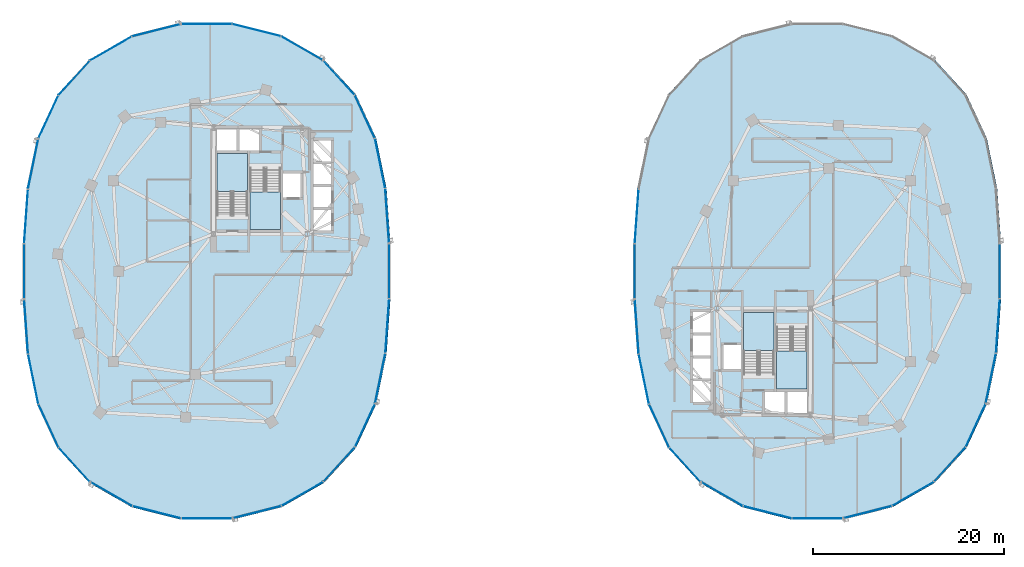
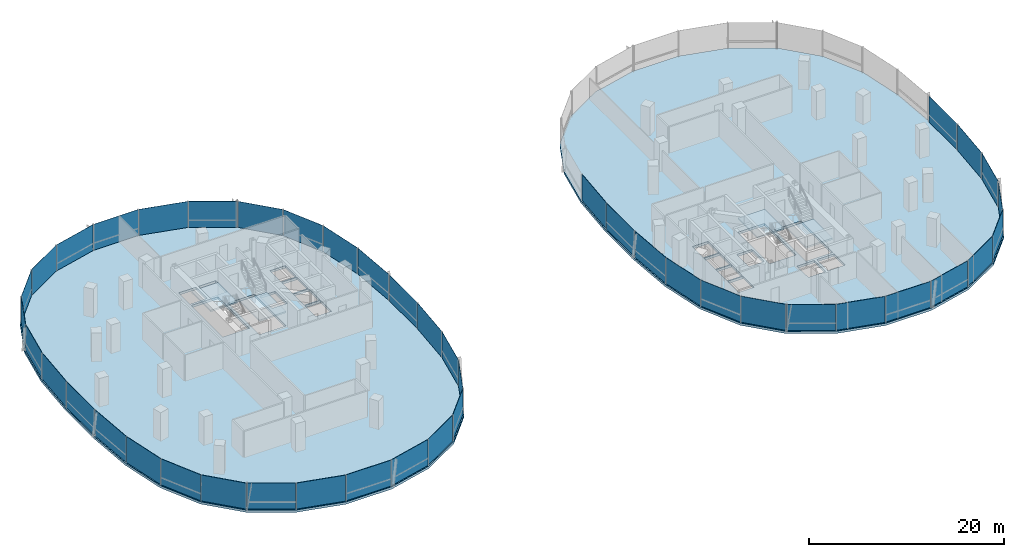
# One storey, part 9 of 20: 44 plates, 6 slabs, 11 elements without a shape of their own.
"""IFC4 building model written with IfcOpenShell, lengths in metres."""

import ifcopenshell
import ifcopenshell.guid

model = None  # the IFC model being written
_history = None  # IfcOwnerHistory: only IFC2X3 demands one
_inside = {}  # id of a spatial element -> (the spatial element, [elements in it])
_under = {}  # id of a project, library or spatial element -> (it, [spatial elements below it])
_declared = {}  # id of a project -> (the project, [libraries it declares])
_typed = {}  # id of a type object -> (the type object, [elements of that type])
_made_of = {}  # id of a material, layer set ... -> (it, [elements and type objects made of it])


def new_model(schema):
    """Start an empty IFC model of exactly this schema.

    Asked for "IFC4X3", IfcOpenShell would pick the latest addendum, in which some entities
    have other attributes; the version numbers below select the first issue.
    IFC2X3 requires an IfcOwnerHistory on every rooted entity: one is made here for all.
    """
    global model, _history
    if schema == "IFC4X3":
        model = ifcopenshell.file(schema_version=(4, 3, 0, 0))
    else:
        model = ifcopenshell.file(schema=schema)
    _inside.clear()
    _under.clear()
    _declared.clear()
    _typed.clear()
    _made_of.clear()
    _history = None
    if model.schema == "IFC2X3":
        org = make("IfcOrganization", Name="unknown")
        user = make(
            "IfcPersonAndOrganization",
            ThePerson=make("IfcPerson", FamilyName="unknown"),
            TheOrganization=org,
        )
        app = make(
            "IfcApplication",
            ApplicationDeveloper=org,
            Version="unknown",
            ApplicationFullName="unknown",
            ApplicationIdentifier="unknown",
        )
        _history = make(
            "IfcOwnerHistory",
            OwningUser=user,
            OwningApplication=app,
            ChangeAction="ADDED",
            CreationDate=0,
        )
    return model


def make(cls, **values):
    """One entity of the class cls with the attributes given. An attribute that is None is left unset."""
    return model.create_entity(
        cls, **{name: value for name, value in values.items() if value is not None}
    )


def rooted(cls, **values):
    """An entity with a GlobalId (a new one), such as an element, a storey or a relation."""
    return make(cls, GlobalId=ifcopenshell.guid.new(), OwnerHistory=_history, **values)


def si_unit(unit_type, name, prefix=None):
    """IfcSIUnit, for example si_unit("LENGTHUNIT", "METRE", prefix="MILLI")."""
    return make("IfcSIUnit", UnitType=unit_type, Prefix=prefix, Name=name)


def assignment(units):
    """IfcUnitAssignment: the units of a project."""
    return None if units is None else make("IfcUnitAssignment", Units=units)


def point(xyz):
    """IfcCartesianPoint."""
    return None if xyz is None else make("IfcCartesianPoint", Coordinates=xyz)


def direction(xyz):
    """IfcDirection."""
    return None if xyz is None else make("IfcDirection", DirectionRatios=xyz)


def frame(location, z_axis=None, x_axis=None):
    """IfcAxis2Placement3D, a coordinate frame: its origin and axes. An axis left out is left unset."""
    return make(
        "IfcAxis2Placement3D",
        Location=point(location),
        Axis=direction(z_axis),
        RefDirection=direction(x_axis),
    )


def frame_2d(location, x_axis=None):
    """IfcAxis2Placement2D, a coordinate frame in the plane: its origin and x axis."""
    return make(
        "IfcAxis2Placement2D", Location=point(location), RefDirection=direction(x_axis)
    )


def origin():
    """The frame at (0, 0, 0) with its axes left unset."""
    return frame((0.0, 0.0, 0.0))


def origin_2d():
    """The frame at (0, 0) in the plane with its x axis left unset."""
    return frame_2d((0.0, 0.0))


def place(relative_to, where):
    """IfcLocalPlacement: puts the frame where relative to a parent placement (None: the world)."""
    return make(
        "IfcLocalPlacement", PlacementRelTo=relative_to, RelativePlacement=where
    )


def context(
    kind, dimensions, precision=None, world=None, true_north=None, identifier=None
):
    """IfcGeometricRepresentationContext, for example the 3D "Model" context."""
    return make(
        "IfcGeometricRepresentationContext",
        ContextIdentifier=identifier,
        ContextType=kind,
        CoordinateSpaceDimension=dimensions,
        Precision=precision,
        WorldCoordinateSystem=world,
        TrueNorth=true_north,
    )


def subcontext(parent, identifier, kind, view, scale=None):
    """IfcGeometricRepresentationSubContext, for example "Body" below "Model"."""
    return make(
        "IfcGeometricRepresentationSubContext",
        ContextIdentifier=identifier,
        ContextType=kind,
        ParentContext=parent,
        TargetScale=scale,
        TargetView=view,
    )


def project(units=None, contexts=None):
    """IfcProject with its units and contexts."""
    return rooted(
        "IfcProject",
        Name="project",
        RepresentationContexts=contexts,
        UnitsInContext=assignment(units),
    )


def spatial(cls, under=None, at=None, **own):
    """A site, building, storey or space (cls), placed at a placement, below another one or the project."""
    s = rooted(cls, ObjectPlacement=at, **own)
    if under is not None:
        _under.setdefault(under.id(), (under, []))[1].append(s)
    return s


def polyline(points):
    """IfcPolyline through the points."""
    return make("IfcPolyline", Points=[point(p) for p in points])


def profile(cls, at=None, kind="AREA", **sizes):
    """A parametric profile (cls). Its sizes go by their IFC names, for example OverallWidth=200.0."""
    return make(cls, ProfileType=kind, Position=at, **sizes)


def rectangle(**sizes):
    """IfcRectangleProfileDef."""
    return profile("IfcRectangleProfileDef", **sizes)


def outline(outer, holes=None, kind="AREA"):
    """IfcArbitraryClosedProfileDef: a profile drawn as a closed curve; with holes, ...WithVoids."""
    if holes is None:
        return make("IfcArbitraryClosedProfileDef", ProfileType=kind, OuterCurve=outer)
    return make(
        "IfcArbitraryProfileDefWithVoids",
        ProfileType=kind,
        OuterCurve=outer,
        InnerCurves=holes,
    )


def extrude(swept, where, along, depth):
    """IfcExtrudedAreaSolid: the profile swept, set in the frame where, extruded along a direction by depth."""
    return make(
        "IfcExtrudedAreaSolid",
        SweptArea=swept,
        Position=where,
        ExtrudedDirection=direction(along),
        Depth=depth,
    )


def shape(context_of_items, identifier, shape_type, items):
    """IfcShapeRepresentation: the items that make up one representation, for example the "Body"."""
    return make(
        "IfcShapeRepresentation",
        ContextOfItems=context_of_items,
        RepresentationIdentifier=identifier,
        RepresentationType=shape_type,
        Items=items,
    )


def material(Name=None, Category=None):
    """IfcMaterial."""
    return make("IfcMaterial", Name=Name, Category=Category)


def layer(
    of_material, thickness, ventilated=None, Name=None, Category=None, Priority=None
):
    """IfcMaterialLayer: one layer of a wall or slab, of a material (None: an air gap)."""
    return make(
        "IfcMaterialLayer",
        Material=of_material,
        LayerThickness=thickness,
        IsVentilated=ventilated,
        Name=Name,
        Category=Category,
        Priority=Priority,
    )


def layer_set(layers, Name=None):
    """IfcMaterialLayerSet."""
    return make("IfcMaterialLayerSet", MaterialLayers=layers, LayerSetName=Name)


def made_of(thing, what):
    """Note that an element or type object is made of a material, layer set ...; save() writes the relation."""
    if what is not None:
        _made_of.setdefault(what.id(), (what, []))[1].append(thing)
    return thing


def type_object(cls, material=None, **own):
    """A type object (cls), such as IfcWallType, which elements share."""
    return made_of(rooted(cls, **own), material)


def element(
    cls,
    number,
    at=None,
    inside=None,
    cuts=None,
    type_object=None,
    material=None,
    context=None,
    identifier="Body",
    shape_type=None,
    held_by="IfcProductDefinitionShape",
    body=None,
    shapes=None,
    **own,
):
    """One element of the class cls, such as IfcWall. Its Tag is "e" and its number.

    at: its placement. inside: the storey or other place that contains it. cuts: it is an
    opening in that element (IfcRelVoidsElement). A single representation is given by context,
    identifier, shape_type and body (its items); several are given by shapes. held_by: the class
    of the entity that holds the representations. save() writes the other relations.
    """
    e = rooted(cls, Tag="e%d" % number, ObjectPlacement=at, **own)
    if body is not None:
        shapes = [shape(context, identifier, shape_type, body)]
    if shapes is not None:
        e.Representation = make(held_by, Representations=shapes)
    if inside is not None:
        _inside.setdefault(inside.id(), (inside, []))[1].append(e)
    if cuts is not None:
        rooted(
            "IfcRelVoidsElement", RelatingBuildingElement=cuts, RelatedOpeningElement=e
        )
    if type_object is not None:
        _typed.setdefault(type_object.id(), (type_object, []))[1].append(e)
    return made_of(e, material)


def aggregate(whole, parts):
    """IfcRelAggregates: a whole, such as a stair, and the parts it consists of."""
    return rooted("IfcRelAggregates", RelatingObject=whole, RelatedObjects=parts)


def save(model, path):
    """Write the relations noted so far, then the file.

    IfcRelAggregates (storeys below a building ...), IfcRelContainedInSpatialStructure (elements
    in a storey), IfcRelDefinesByType, IfcRelAssociatesMaterial and IfcRelDeclares: one each for
    every whole, place, type object, material and project.
    """
    for whole, parts in _under.values():
        aggregate(whole, parts)
    for where, things in _inside.values():
        rooted(
            "IfcRelContainedInSpatialStructure",
            RelatedElements=things,
            RelatingStructure=where,
        )
    for kind, things in _typed.values():
        rooted("IfcRelDefinesByType", RelatedObjects=things, RelatingType=kind)
    for what, things in _made_of.values():
        rooted("IfcRelAssociatesMaterial", RelatedObjects=things, RelatingMaterial=what)
    for by, libraries in _declared.values():
        rooted("IfcRelDeclares", RelatingContext=by, RelatedDefinitions=libraries)
    model.write(path)


model = new_model("IFC4")

# Units and contexts
model_context = context("Model", 3, precision=1e-05, world=origin(), true_north=direction((0.0, 1.0)))
body_context = subcontext(model_context, "Body", "Model", "MODEL_VIEW")
ifc_project = project(units=[si_unit("LENGTHUNIT", "METRE"), si_unit("AREAUNIT", "SQUARE_METRE"), si_unit("VOLUMEUNIT", "CUBIC_METRE"), si_unit("PLANEANGLEUNIT", "RADIAN"), si_unit("MASSUNIT", "GRAM", prefix="KILO"), si_unit("THERMODYNAMICTEMPERATUREUNIT", "KELVIN"), si_unit("POWERUNIT", "WATT")], contexts=[model_context])

# Site, building, storey
site_placement = place(None, origin())
site = spatial("IfcSite", under=ifc_project, at=site_placement, CompositionType="ELEMENT")
building_placement = place(site_placement, origin())
building = spatial("IfcBuilding", under=site, at=building_placement, Name="Cundina Bronze Exchange", CompositionType="ELEMENT")
storey_placement = place(building_placement, frame((0.0, 0.0, 125.0)))
storey = spatial("IfcBuildingStorey", under=building, at=storey_placement, Name="L32", CompositionType="ELEMENT", Elevation=125.0)

# Curtain wall, plates
ifc_material_1 = material(Name="Anodised Bronze Aluminium 6063-T6", Category="aluminium")
curtain_wall_type = type_object("IfcCurtainWallType", Name="CWS-TRD-MID", PredefinedType="NOTDEFINED", material=ifc_material_1)
curtain_wall_1_placement = place(storey_placement, origin())
curtain_wall_1 = element("IfcCurtainWall", 1, at=curtain_wall_1_placement, inside=storey, type_object=curtain_wall_type, Name="L32 CW-03 Curtain Wall Run CWR-L32-W1", PredefinedType="NOTDEFINED")
ifc_material_2 = material(Name="Heat-Strengthened Solar-Control Bronze Safety Glass 28mm", Category="glass")
ifc_layer_1 = layer(ifc_material_2, 0.028076171875, Name="Heat-Strengthened Solar-Control Bronze Safety Glass 28mm", Category="glass")
ifc_layer_set_1 = layer_set([ifc_layer_1], Name="Heat-Strengthened Solar-Control Bronze Safety Glass 28mm")
plate_type_1 = type_object("IfcPlateType", Name="PLT-GLZ-VIS28", PredefinedType="CURTAIN_PANEL", material=ifc_layer_set_1)
plate_1_placement = place(storey_placement, frame((-13.0732421875, 5.783935546875, 0.02001953125), z_axis=(0.0, 0.0, 1.0), x_axis=(-0.070278787473, 0.997527389113, 0.0)))
plate_1 = element("IfcPlate", 2, at=plate_1_placement, type_object=plate_type_1, Name="CW-03 Glazed Panel 1", PredefinedType="CURTAIN_PANEL", context=body_context, shape_type="SweptSolid", body=[
    extrude(rectangle(XDim=5.644287109375, YDim=0.028076171875, at=origin_2d()), origin(), (0.0, 0.0, 1.0), 3.260009765625),
])
plate_2_placement = place(storey_placement, frame((-13.81591796875, 11.269775390625, 0.02001953125), z_axis=(0.0, 0.0, 1.0), x_axis=(-0.201419845156, 0.979505000486, 0.0)))
plate_2 = element("IfcPlate", 3, at=plate_2_placement, type_object=plate_type_1, Name="CW-03 Glazed Panel 2", PredefinedType="CURTAIN_PANEL", context=body_context, shape_type="SweptSolid", body=[
    extrude(rectangle(XDim=5.306640625, YDim=0.028076171875, at=origin_2d()), origin(), (0.0, 0.0, 1.0), 3.260009765625),
])
plate_3_placement = place(storey_placement, frame((-18.1259765625, 20.267333984375, 0.02001953125), z_axis=(0.0, 0.0, 1.0), x_axis=(-0.674276610219, 0.73847887777, 0.0)))
plate_3 = element("IfcPlate", 4, at=plate_3_placement, type_object=plate_type_1, Name="CW-03 Glazed Panel 4", PredefinedType="CURTAIN_PANEL", context=body_context, shape_type="SweptSolid", body=[
    extrude(rectangle(XDim=4.86328125, YDim=0.028076171875, at=origin_2d()), origin(), (0.0, 0.0, 1.0), 3.260009765625),
])
plate_4_placement = place(storey_placement, frame((-21.980712890625, 23.34423828125, 0.02001953125), z_axis=(0.0, 0.0, 1.0), x_axis=(-0.867105478933, 0.498124571171, 0.0)))
plate_4 = element("IfcPlate", 5, at=plate_4_placement, type_object=plate_type_1, Name="CW-03 Glazed Panel 5", PredefinedType="CURTAIN_PANEL", context=body_context, shape_type="SweptSolid", body=[
    extrude(rectangle(XDim=5.021240234375, YDim=0.028076171875, at=origin_2d()), origin(), (0.0, 0.0, 1.0), 3.260009765625),
])
plate_5_placement = place(storey_placement, frame((-26.744384765625, 25.256591796875, 0.02001953125), z_axis=(0.0, 0.0, 1.0), x_axis=(-0.969488149345, 0.245138182011, 0.0)))
plate_5 = element("IfcPlate", 6, at=plate_5_placement, type_object=plate_type_1, Name="CW-03 Glazed Panel 6", PredefinedType="CURTAIN_PANEL", context=body_context, shape_type="SweptSolid", body=[
    extrude(rectangle(XDim=5.2333984375, YDim=0.028076171875, at=origin_2d()), origin(), (0.0, 0.0, 1.0), 3.260009765625),
])
plate_6_placement = place(storey_placement, frame((-32.0, 25.905029296875, 0.02001953125), z_axis=(0.0, 0.0, 1.0), x_axis=(-1.0, 0.0, 0.0)))
plate_6 = element("IfcPlate", 7, at=plate_6_placement, type_object=plate_type_1, Name="CW-03 Glazed Panel 7", PredefinedType="CURTAIN_PANEL", context=body_context, shape_type="SweptSolid", body=[
    extrude(rectangle(XDim=5.323974609375, YDim=0.028076171875, at=origin_2d()), origin(), (0.0, 0.0, 1.0), 3.260009765625),
])

curtain_wall_2_placement = place(storey_placement, origin())
curtain_wall_2 = element("IfcCurtainWall", 8, at=curtain_wall_2_placement, inside=storey, type_object=curtain_wall_type, Name="L32 CW-03 Curtain Wall Run CWR-L32-W2", PredefinedType="NOTDEFINED")
plate_7_placement = place(storey_placement, frame((-37.255615234375, 25.256591796875, 0.02001953125), z_axis=(0.0, 0.0, 1.0), x_axis=(-0.969488149345, -0.245138182011, 0.0)))
plate_7 = element("IfcPlate", 9, at=plate_7_placement, type_object=plate_type_1, Name="CW-03 Glazed Panel 1", PredefinedType="CURTAIN_PANEL", context=body_context, shape_type="SweptSolid", body=[
    extrude(rectangle(XDim=5.2333984375, YDim=0.028076171875, at=origin_2d()), origin(), (0.0, 0.0, 1.0), 3.260009765625),
])
plate_8_placement = place(storey_placement, frame((-45.8740234375, 20.267333984375, 0.02001953125), z_axis=(0.0, 0.0, 1.0), x_axis=(-0.674276610219, -0.73847887777, 0.0)))
plate_8 = element("IfcPlate", 10, at=plate_8_placement, type_object=plate_type_1, Name="CW-03 Glazed Panel 3", PredefinedType="CURTAIN_PANEL", context=body_context, shape_type="SweptSolid", body=[
    extrude(rectangle(XDim=4.86328125, YDim=0.028076171875, at=origin_2d()), origin(), (0.0, 0.0, 1.0), 3.260009765625),
])
plate_9_placement = place(storey_placement, frame((-48.586181640625, 16.177734375, 0.02001953125), z_axis=(0.0, 0.0, 1.0), x_axis=(-0.42084583328, -0.907132175932, 0.0)))
plate_9 = element("IfcPlate", 11, at=plate_9_placement, type_object=plate_type_1, Name="CW-03 Glazed Panel 4", PredefinedType="CURTAIN_PANEL", context=body_context, shape_type="SweptSolid", body=[
    extrude(rectangle(XDim=4.966552734375, YDim=0.028076171875, at=origin_2d()), origin(), (0.0, 0.0, 1.0), 3.260009765625),
])
plate_10_placement = place(storey_placement, frame((-50.18408203125, 11.269775390625, 0.02001953125), z_axis=(0.0, 0.0, 1.0), x_axis=(-0.201419845156, -0.979505000486, 0.0)))
plate_10 = element("IfcPlate", 12, at=plate_10_placement, type_object=plate_type_1, Name="CW-03 Glazed Panel 5", PredefinedType="CURTAIN_PANEL", context=body_context, shape_type="SweptSolid", body=[
    extrude(rectangle(XDim=5.306640625, YDim=0.028076171875, at=origin_2d()), origin(), (0.0, 0.0, 1.0), 3.260009765625),
])
plate_11_placement = place(storey_placement, frame((-50.9267578125, 5.783935546875, 0.02001953125), z_axis=(0.0, 0.0, 1.0), x_axis=(-0.070278787473, -0.997527389113, 0.0)))
plate_11 = element("IfcPlate", 13, at=plate_11_placement, type_object=plate_type_1, Name="CW-03 Glazed Panel 6", PredefinedType="CURTAIN_PANEL", context=body_context, shape_type="SweptSolid", body=[
    extrude(rectangle(XDim=5.644287109375, YDim=0.028076171875, at=origin_2d()), origin(), (0.0, 0.0, 1.0), 3.260009765625),
])

curtain_wall_3_placement = place(storey_placement, origin())
curtain_wall_3 = element("IfcCurtainWall", 14, at=curtain_wall_3_placement, inside=storey, type_object=curtain_wall_type, Name="L32 CW-03 Curtain Wall Run CWR-L32-W3", PredefinedType="NOTDEFINED")
plate_12_placement = place(storey_placement, frame((-50.18408203125, -11.269775390625, 0.02001953125), z_axis=(0.0, 0.0, 1.0), x_axis=(0.201419845156, -0.979505000486, 0.0)))
plate_12 = element("IfcPlate", 15, at=plate_12_placement, type_object=plate_type_1, Name="CW-03 Glazed Panel 2", PredefinedType="CURTAIN_PANEL", context=body_context, shape_type="SweptSolid", body=[
    extrude(rectangle(XDim=5.306640625, YDim=0.028076171875, at=origin_2d()), origin(), (0.0, 0.0, 1.0), 3.260009765625),
])
plate_13_placement = place(storey_placement, frame((-48.586181640625, -16.177734375, 0.02001953125), z_axis=(0.0, 0.0, 1.0), x_axis=(0.42084583328, -0.907132175932, 0.0)))
plate_13 = element("IfcPlate", 16, at=plate_13_placement, type_object=plate_type_1, Name="CW-03 Glazed Panel 3", PredefinedType="CURTAIN_PANEL", context=body_context, shape_type="SweptSolid", body=[
    extrude(rectangle(XDim=4.966552734375, YDim=0.028076171875, at=origin_2d()), origin(), (0.0, 0.0, 1.0), 3.260009765625),
])
plate_14_placement = place(storey_placement, frame((-45.8740234375, -20.267333984375, 0.02001953125), z_axis=(0.0, 0.0, 1.0), x_axis=(0.674276610219, -0.73847887777, 0.0)))
plate_14 = element("IfcPlate", 17, at=plate_14_placement, type_object=plate_type_1, Name="CW-03 Glazed Panel 4", PredefinedType="CURTAIN_PANEL", context=body_context, shape_type="SweptSolid", body=[
    extrude(rectangle(XDim=4.86328125, YDim=0.028076171875, at=origin_2d()), origin(), (0.0, 0.0, 1.0), 3.260009765625),
])
plate_15_placement = place(storey_placement, frame((-42.019287109375, -23.34423828125, 0.02001953125), z_axis=(0.0, 0.0, 1.0), x_axis=(0.867105478933, -0.498124571171, 0.0)))
plate_15 = element("IfcPlate", 18, at=plate_15_placement, type_object=plate_type_1, Name="CW-03 Glazed Panel 5", PredefinedType="CURTAIN_PANEL", context=body_context, shape_type="SweptSolid", body=[
    extrude(rectangle(XDim=5.021240234375, YDim=0.028076171875, at=origin_2d()), origin(), (0.0, 0.0, 1.0), 3.260009765625),
])
plate_16_placement = place(storey_placement, frame((-32.0, -25.905029296875, 0.02001953125), z_axis=(0.0, 0.0, 1.0), x_axis=(1.0, 0.0, 0.0)))
plate_16 = element("IfcPlate", 19, at=plate_16_placement, type_object=plate_type_1, Name="CW-03 Glazed Panel 7", PredefinedType="CURTAIN_PANEL", context=body_context, shape_type="SweptSolid", body=[
    extrude(rectangle(XDim=5.323974609375, YDim=0.028076171875, at=origin_2d()), origin(), (0.0, 0.0, 1.0), 3.260009765625),
])

curtain_wall_4_placement = place(storey_placement, origin())
curtain_wall_4 = element("IfcCurtainWall", 20, at=curtain_wall_4_placement, inside=storey, type_object=curtain_wall_type, Name="L32 CW-03 Curtain Wall Run CWR-L32-W4", PredefinedType="NOTDEFINED")
plate_17_placement = place(storey_placement, frame((-26.744384765625, -25.256591796875, 0.02001953125), z_axis=(0.0, 0.0, 1.0), x_axis=(0.969488149345, 0.245138182011, 0.0)))
plate_17 = element("IfcPlate", 21, at=plate_17_placement, type_object=plate_type_1, Name="CW-03 Glazed Panel 1", PredefinedType="CURTAIN_PANEL", context=body_context, shape_type="SweptSolid", body=[
    extrude(rectangle(XDim=5.2333984375, YDim=0.028076171875, at=origin_2d()), origin(), (0.0, 0.0, 1.0), 3.260009765625),
])
plate_18_placement = place(storey_placement, frame((-21.980712890625, -23.34423828125, 0.02001953125), z_axis=(0.0, 0.0, 1.0), x_axis=(0.867105478933, 0.498124571171, 0.0)))
plate_18 = element("IfcPlate", 22, at=plate_18_placement, type_object=plate_type_1, Name="CW-03 Glazed Panel 2", PredefinedType="CURTAIN_PANEL", context=body_context, shape_type="SweptSolid", body=[
    extrude(rectangle(XDim=5.021240234375, YDim=0.028076171875, at=origin_2d()), origin(), (0.0, 0.0, 1.0), 3.260009765625),
])
plate_19_placement = place(storey_placement, frame((-18.1259765625, -20.267333984375, 0.02001953125), z_axis=(0.0, 0.0, 1.0), x_axis=(0.674276610219, 0.73847887777, 0.0)))
plate_19 = element("IfcPlate", 23, at=plate_19_placement, type_object=plate_type_1, Name="CW-03 Glazed Panel 3", PredefinedType="CURTAIN_PANEL", context=body_context, shape_type="SweptSolid", body=[
    extrude(rectangle(XDim=4.86328125, YDim=0.028076171875, at=origin_2d()), origin(), (0.0, 0.0, 1.0), 3.260009765625),
])
plate_20_placement = place(storey_placement, frame((-15.413818359375, -16.177734375, 0.02001953125), z_axis=(0.0, 0.0, 1.0), x_axis=(0.42084583328, 0.907132175932, 0.0)))
plate_20 = element("IfcPlate", 24, at=plate_20_placement, type_object=plate_type_1, Name="CW-03 Glazed Panel 4", PredefinedType="CURTAIN_PANEL", context=body_context, shape_type="SweptSolid", body=[
    extrude(rectangle(XDim=4.966552734375, YDim=0.028076171875, at=origin_2d()), origin(), (0.0, 0.0, 1.0), 3.260009765625),
])
plate_21_placement = place(storey_placement, frame((-13.0732421875, -5.783935546875, 0.02001953125), z_axis=(0.0, 0.0, 1.0), x_axis=(0.070278787473, 0.997527389113, 0.0)))
plate_21 = element("IfcPlate", 25, at=plate_21_placement, type_object=plate_type_1, Name="CW-03 Glazed Panel 6", PredefinedType="CURTAIN_PANEL", context=body_context, shape_type="SweptSolid", body=[
    extrude(rectangle(XDim=5.644287109375, YDim=0.028076171875, at=origin_2d()), origin(), (0.0, 0.0, 1.0), 3.260009765625),
])
plate_22_placement = place(storey_placement, frame((-12.8720703125, 0.0, 0.02001953125), z_axis=(0.0, 0.0, 1.0), x_axis=(0.0, 1.0, 0.0)))
plate_22 = element("IfcPlate", 26, at=plate_22_placement, type_object=plate_type_1, Name="CW-03 Glazed Panel 7", PredefinedType="CURTAIN_PANEL", context=body_context, shape_type="SweptSolid", body=[
    extrude(rectangle(XDim=5.77587890625, YDim=0.028076171875, at=origin_2d()), origin(), (0.0, 0.0, 1.0), 3.260009765625),
])

# Curtain wall, plate
curtain_wall_5_placement = place(storey_placement, origin())
curtain_wall_5 = element("IfcCurtainWall", 27, at=curtain_wall_5_placement, inside=storey, type_object=curtain_wall_type, Name="L32 CW-03 Curtain Wall Run CWR-L32-E2", PredefinedType="NOTDEFINED")
plate_23_placement = place(storey_placement, frame((13.0732421875, 5.783935546875, 0.02001953125), z_axis=(0.0, 0.0, 1.0), x_axis=(-0.070278787473, -0.997527389113, 0.0)))
plate_23 = element("IfcPlate", 28, at=plate_23_placement, type_object=plate_type_1, Name="CW-03 Glazed Panel 6", PredefinedType="CURTAIN_PANEL", context=body_context, shape_type="SweptSolid", body=[
    extrude(rectangle(XDim=5.644287109375, YDim=0.028076171875, at=origin_2d()), origin(), (0.0, 0.0, 1.0), 3.260009765625),
])

# Curtain wall, plates
curtain_wall_6_placement = place(storey_placement, origin())
curtain_wall_6 = element("IfcCurtainWall", 29, at=curtain_wall_6_placement, inside=storey, type_object=curtain_wall_type, Name="L32 CW-03 Curtain Wall Run CWR-L32-E3", PredefinedType="NOTDEFINED")
plate_24_placement = place(storey_placement, frame((13.81591796875, -11.269775390625, 0.02001953125), z_axis=(0.0, 0.0, 1.0), x_axis=(0.201419845156, -0.979505000486, 0.0)))
plate_24 = element("IfcPlate", 30, at=plate_24_placement, type_object=plate_type_1, Name="CW-03 Glazed Panel 2", PredefinedType="CURTAIN_PANEL", context=body_context, shape_type="SweptSolid", body=[
    extrude(rectangle(XDim=5.306640625, YDim=0.028076171875, at=origin_2d()), origin(), (0.0, 0.0, 1.0), 3.260009765625),
])
plate_25_placement = place(storey_placement, frame((15.413818359375, -16.177734375, 0.02001953125), z_axis=(0.0, 0.0, 1.0), x_axis=(0.42084583328, -0.907132175932, 0.0)))
plate_25 = element("IfcPlate", 31, at=plate_25_placement, type_object=plate_type_1, Name="CW-03 Glazed Panel 3", PredefinedType="CURTAIN_PANEL", context=body_context, shape_type="SweptSolid", body=[
    extrude(rectangle(XDim=4.966552734375, YDim=0.028076171875, at=origin_2d()), origin(), (0.0, 0.0, 1.0), 3.260009765625),
])
plate_26_placement = place(storey_placement, frame((18.1259765625, -20.267333984375, 0.02001953125), z_axis=(0.0, 0.0, 1.0), x_axis=(0.674276610219, -0.73847887777, 0.0)))
plate_26 = element("IfcPlate", 32, at=plate_26_placement, type_object=plate_type_1, Name="CW-03 Glazed Panel 4", PredefinedType="CURTAIN_PANEL", context=body_context, shape_type="SweptSolid", body=[
    extrude(rectangle(XDim=4.86328125, YDim=0.028076171875, at=origin_2d()), origin(), (0.0, 0.0, 1.0), 3.260009765625),
])
plate_27_placement = place(storey_placement, frame((21.980712890625, -23.34423828125, 0.02001953125), z_axis=(0.0, 0.0, 1.0), x_axis=(0.867105478933, -0.498124571171, 0.0)))
plate_27 = element("IfcPlate", 33, at=plate_27_placement, type_object=plate_type_1, Name="CW-03 Glazed Panel 5", PredefinedType="CURTAIN_PANEL", context=body_context, shape_type="SweptSolid", body=[
    extrude(rectangle(XDim=5.021240234375, YDim=0.028076171875, at=origin_2d()), origin(), (0.0, 0.0, 1.0), 3.260009765625),
])
plate_28_placement = place(storey_placement, frame((32.0, -25.905029296875, 0.02001953125), z_axis=(0.0, 0.0, 1.0), x_axis=(1.0, 0.0, 0.0)))
plate_28 = element("IfcPlate", 34, at=plate_28_placement, type_object=plate_type_1, Name="CW-03 Glazed Panel 7", PredefinedType="CURTAIN_PANEL", context=body_context, shape_type="SweptSolid", body=[
    extrude(rectangle(XDim=5.323974609375, YDim=0.028076171875, at=origin_2d()), origin(), (0.0, 0.0, 1.0), 3.260009765625),
])

curtain_wall_7_placement = place(storey_placement, origin())
curtain_wall_7 = element("IfcCurtainWall", 35, at=curtain_wall_7_placement, inside=storey, type_object=curtain_wall_type, Name="L32 CW-03 Curtain Wall Run CWR-L32-E4", PredefinedType="NOTDEFINED")
plate_29_placement = place(storey_placement, frame((37.255615234375, -25.256591796875, 0.02001953125), z_axis=(0.0, 0.0, 1.0), x_axis=(0.969488149345, 0.245138182011, 0.0)))
plate_29 = element("IfcPlate", 36, at=plate_29_placement, type_object=plate_type_1, Name="CW-03 Glazed Panel 1", PredefinedType="CURTAIN_PANEL", context=body_context, shape_type="SweptSolid", body=[
    extrude(rectangle(XDim=5.2333984375, YDim=0.028076171875, at=origin_2d()), origin(), (0.0, 0.0, 1.0), 3.260009765625),
])
plate_30_placement = place(storey_placement, frame((42.019287109375, -23.34423828125, 0.02001953125), z_axis=(0.0, 0.0, 1.0), x_axis=(0.867105478933, 0.498124571171, 0.0)))
plate_30 = element("IfcPlate", 37, at=plate_30_placement, type_object=plate_type_1, Name="CW-03 Glazed Panel 2", PredefinedType="CURTAIN_PANEL", context=body_context, shape_type="SweptSolid", body=[
    extrude(rectangle(XDim=5.021240234375, YDim=0.028076171875, at=origin_2d()), origin(), (0.0, 0.0, 1.0), 3.260009765625),
])
plate_31_placement = place(storey_placement, frame((45.8740234375, -20.267333984375, 0.02001953125), z_axis=(0.0, 0.0, 1.0), x_axis=(0.674276610219, 0.73847887777, 0.0)))
plate_31 = element("IfcPlate", 38, at=plate_31_placement, type_object=plate_type_1, Name="CW-03 Glazed Panel 3", PredefinedType="CURTAIN_PANEL", context=body_context, shape_type="SweptSolid", body=[
    extrude(rectangle(XDim=4.86328125, YDim=0.028076171875, at=origin_2d()), origin(), (0.0, 0.0, 1.0), 3.260009765625),
])
plate_32_placement = place(storey_placement, frame((48.586181640625, -16.177734375, 0.02001953125), z_axis=(0.0, 0.0, 1.0), x_axis=(0.42084583328, 0.907132175932, 0.0)))
plate_32 = element("IfcPlate", 39, at=plate_32_placement, type_object=plate_type_1, Name="CW-03 Glazed Panel 4", PredefinedType="CURTAIN_PANEL", context=body_context, shape_type="SweptSolid", body=[
    extrude(rectangle(XDim=4.966552734375, YDim=0.028076171875, at=origin_2d()), origin(), (0.0, 0.0, 1.0), 3.260009765625),
])
plate_33_placement = place(storey_placement, frame((50.9267578125, -5.783935546875, 0.02001953125), z_axis=(0.0, 0.0, 1.0), x_axis=(0.070278787473, 0.997527389113, 0.0)))
plate_33 = element("IfcPlate", 40, at=plate_33_placement, type_object=plate_type_1, Name="CW-03 Glazed Panel 6", PredefinedType="CURTAIN_PANEL", context=body_context, shape_type="SweptSolid", body=[
    extrude(rectangle(XDim=5.644287109375, YDim=0.028076171875, at=origin_2d()), origin(), (0.0, 0.0, 1.0), 3.260009765625),
])
plate_34_placement = place(storey_placement, frame((51.1279296875, 0.0, 0.02001953125), z_axis=(0.0, 0.0, 1.0), x_axis=(0.0, 1.0, 0.0)))
plate_34 = element("IfcPlate", 41, at=plate_34_placement, type_object=plate_type_1, Name="CW-03 Glazed Panel 7", PredefinedType="CURTAIN_PANEL", context=body_context, shape_type="SweptSolid", body=[
    extrude(rectangle(XDim=5.77587890625, YDim=0.028076171875, at=origin_2d()), origin(), (0.0, 0.0, 1.0), 3.260009765625),
])

# Plate
ifc_material_3 = material(Name="Dark Bronze Spandrel Glass Panel 32mm", Category="glass")
ifc_layer_2 = layer(ifc_material_3, 0.031982421875, Name="Dark Bronze Spandrel Glass Panel 32mm", Category="glass")
ifc_layer_set_2 = layer_set([ifc_layer_2], Name="Dark Bronze Spandrel Glass Panel 32mm")
plate_type_2 = type_object("IfcPlateType", Name="PLT-SPN-BRZ32", PredefinedType="CURTAIN_PANEL", material=ifc_layer_set_2)
plate_35_placement = place(storey_placement, frame((-15.413818359375, 16.177734375, 0.02001953125), z_axis=(0.0, 0.0, 1.0), x_axis=(-0.42084583328, 0.907132175932, 0.0)))
plate_35 = element("IfcPlate", 42, at=plate_35_placement, type_object=plate_type_2, Name="CW-03 Glazed Panel 3", PredefinedType="CURTAIN_PANEL", context=body_context, shape_type="SweptSolid", body=[
    extrude(rectangle(XDim=4.966552734375, YDim=0.031982421875, at=origin_2d()), origin(), (0.0, 0.0, 1.0), 3.260009765625),
])

aggregate(curtain_wall_1, [plate_1, plate_2, plate_35, plate_3, plate_4, plate_5, plate_6])

plate_36_placement = place(storey_placement, frame((-42.019287109375, 23.34423828125, 0.02001953125), z_axis=(0.0, 0.0, 1.0), x_axis=(-0.867105478933, -0.498124571171, 0.0)))
plate_36 = element("IfcPlate", 43, at=plate_36_placement, type_object=plate_type_2, Name="CW-03 Glazed Panel 2", PredefinedType="CURTAIN_PANEL", context=body_context, shape_type="SweptSolid", body=[
    extrude(rectangle(XDim=5.021240234375, YDim=0.031982421875, at=origin_2d()), origin(), (0.0, 0.0, 1.0), 3.260009765625),
])

plate_37_placement = place(storey_placement, frame((-51.1279296875, 0.0, 0.02001953125), z_axis=(0.0, 0.0, 1.0), x_axis=(0.0, -1.0, 0.0)))
plate_37 = element("IfcPlate", 44, at=plate_37_placement, type_object=plate_type_2, Name="CW-03 Glazed Panel 7", PredefinedType="CURTAIN_PANEL", context=body_context, shape_type="SweptSolid", body=[
    extrude(rectangle(XDim=5.77587890625, YDim=0.031982421875, at=origin_2d()), origin(), (0.0, 0.0, 1.0), 3.260009765625),
])

aggregate(curtain_wall_2, [plate_7, plate_36, plate_8, plate_9, plate_10, plate_11, plate_37])

plate_38_placement = place(storey_placement, frame((-50.9267578125, -5.783935546875, 0.02001953125), z_axis=(0.0, 0.0, 1.0), x_axis=(0.070278787473, -0.997527389113, 0.0)))
plate_38 = element("IfcPlate", 45, at=plate_38_placement, type_object=plate_type_2, Name="CW-03 Glazed Panel 1", PredefinedType="CURTAIN_PANEL", context=body_context, shape_type="SweptSolid", body=[
    extrude(rectangle(XDim=5.644287109375, YDim=0.031982421875, at=origin_2d()), origin(), (0.0, 0.0, 1.0), 3.260009765625),
])

plate_39_placement = place(storey_placement, frame((-37.255615234375, -25.256591796875, 0.02001953125), z_axis=(0.0, 0.0, 1.0), x_axis=(0.969488149345, -0.245138182011, 0.0)))
plate_39 = element("IfcPlate", 46, at=plate_39_placement, type_object=plate_type_2, Name="CW-03 Glazed Panel 6", PredefinedType="CURTAIN_PANEL", context=body_context, shape_type="SweptSolid", body=[
    extrude(rectangle(XDim=5.2333984375, YDim=0.031982421875, at=origin_2d()), origin(), (0.0, 0.0, 1.0), 3.260009765625),
])

aggregate(curtain_wall_3, [plate_38, plate_12, plate_13, plate_14, plate_15, plate_39, plate_16])

plate_40_placement = place(storey_placement, frame((-13.81591796875, -11.269775390625, 0.02001953125), z_axis=(0.0, 0.0, 1.0), x_axis=(0.201419845156, 0.979505000486, 0.0)))
plate_40 = element("IfcPlate", 47, at=plate_40_placement, type_object=plate_type_2, Name="CW-03 Glazed Panel 5", PredefinedType="CURTAIN_PANEL", context=body_context, shape_type="SweptSolid", body=[
    extrude(rectangle(XDim=5.306640625, YDim=0.031982421875, at=origin_2d()), origin(), (0.0, 0.0, 1.0), 3.260009765625),
])

aggregate(curtain_wall_4, [plate_17, plate_18, plate_19, plate_20, plate_40, plate_21, plate_22])

plate_41_placement = place(storey_placement, frame((12.8720703125, 0.0, 0.02001953125), z_axis=(0.0, 0.0, 1.0), x_axis=(0.0, -1.0, 0.0)))
plate_41 = element("IfcPlate", 48, at=plate_41_placement, type_object=plate_type_2, Name="CW-03 Glazed Panel 7", PredefinedType="CURTAIN_PANEL", context=body_context, shape_type="SweptSolid", body=[
    extrude(rectangle(XDim=5.77587890625, YDim=0.031982421875, at=origin_2d()), origin(), (0.0, 0.0, 1.0), 3.260009765625),
])

aggregate(curtain_wall_5, [plate_23, plate_41])

plate_42_placement = place(storey_placement, frame((13.0732421875, -5.783935546875, 0.02001953125), z_axis=(0.0, 0.0, 1.0), x_axis=(0.070278787473, -0.997527389113, 0.0)))
plate_42 = element("IfcPlate", 49, at=plate_42_placement, type_object=plate_type_2, Name="CW-03 Glazed Panel 1", PredefinedType="CURTAIN_PANEL", context=body_context, shape_type="SweptSolid", body=[
    extrude(rectangle(XDim=5.644287109375, YDim=0.031982421875, at=origin_2d()), origin(), (0.0, 0.0, 1.0), 3.260009765625),
])

plate_43_placement = place(storey_placement, frame((26.744384765625, -25.256591796875, 0.02001953125), z_axis=(0.0, 0.0, 1.0), x_axis=(0.969488149345, -0.245138182011, 0.0)))
plate_43 = element("IfcPlate", 50, at=plate_43_placement, type_object=plate_type_2, Name="CW-03 Glazed Panel 6", PredefinedType="CURTAIN_PANEL", context=body_context, shape_type="SweptSolid", body=[
    extrude(rectangle(XDim=5.2333984375, YDim=0.031982421875, at=origin_2d()), origin(), (0.0, 0.0, 1.0), 3.260009765625),
])

aggregate(curtain_wall_6, [plate_42, plate_24, plate_25, plate_26, plate_27, plate_43, plate_28])

plate_44_placement = place(storey_placement, frame((50.18408203125, -11.269775390625, 0.02001953125), z_axis=(0.0, 0.0, 1.0), x_axis=(0.201419845156, 0.979505000486, 0.0)))
plate_44 = element("IfcPlate", 51, at=plate_44_placement, type_object=plate_type_2, Name="CW-03 Glazed Panel 5", PredefinedType="CURTAIN_PANEL", context=body_context, shape_type="SweptSolid", body=[
    extrude(rectangle(XDim=5.306640625, YDim=0.031982421875, at=origin_2d()), origin(), (0.0, 0.0, 1.0), 3.260009765625),
])

aggregate(curtain_wall_7, [plate_29, plate_30, plate_31, plate_32, plate_44, plate_33, plate_34])

# Stair, slab
ifc_material_4 = material(Name="Concrete C40/50", Category="concrete")
stair_type = type_object("IfcStairType", Name="STR-OFF-360", PredefinedType="HALF_TURN_STAIR", material=ifc_material_4)
stair_1_placement = place(storey_placement, origin())
stair_1 = element("IfcStair", 52, at=stair_1_placement, inside=storey, type_object=stair_type, Name="L32 Smokeproof Exit Stair W1", PredefinedType="HALF_TURN_STAIR")
ifc_layer_3 = layer(ifc_material_4, 0.199951171875, Name="Concrete C40/50", Category="concrete")
ifc_layer_set_3 = layer_set([ifc_layer_3], Name="Concrete C40/50")
slab_type_1 = type_object("IfcSlabType", Name="SLB-LND-200", PredefinedType="LANDING", material=ifc_layer_set_3)
slab_1_placement = place(storey_placement, frame((0.0, 0.0, 1.60009765625)))
slab_1 = element("IfcSlab", 53, at=slab_1_placement, type_object=slab_type_1, Name="ST-W1 landing 1", PredefinedType="LANDING", context=body_context, shape_type="SweptSolid", body=[
    extrude(outline(polyline([(-27.739990234375, 8.3701171875), (-27.739990234375, 12.35009765625), (-30.89990234375, 12.35009765625), (-30.89990234375, 8.3701171875), (-27.739990234375, 8.3701171875)])), origin(), (0.0, 0.0, 1.0), 0.199951171875),
])
aggregate(stair_1, [slab_1])

stair_2_placement = place(storey_placement, origin())
stair_2 = element("IfcStair", 54, at=stair_2_placement, inside=storey, type_object=stair_type, Name="L32 Smokeproof Exit Stair W2", PredefinedType="HALF_TURN_STAIR")
slab_2_placement = place(storey_placement, frame((0.0, 0.0, 1.60009765625)))
slab_2 = element("IfcSlab", 55, at=slab_2_placement, type_object=slab_type_1, Name="ST-W2 landing 1", PredefinedType="LANDING", context=body_context, shape_type="SweptSolid", body=[
    extrude(outline(polyline([(-27.43994140625, 8.330078125), (-27.43994140625, 4.35009765625), (-24.280029296875, 4.35009765625), (-24.280029296875, 8.330078125), (-27.43994140625, 8.330078125)])), origin(), (0.0, 0.0, 1.0), 0.199951171875),
])
aggregate(stair_2, [slab_2])

stair_3_placement = place(storey_placement, origin())
stair_3 = element("IfcStair", 56, at=stair_3_placement, inside=storey, type_object=stair_type, Name="L32 Smokeproof Exit Stair E1", PredefinedType="HALF_TURN_STAIR")
slab_3_placement = place(storey_placement, frame((0.0, 0.0, 1.60009765625)))
slab_3 = element("IfcSlab", 57, at=slab_3_placement, type_object=slab_type_1, Name="ST-E1 landing 1", PredefinedType="LANDING", context=body_context, shape_type="SweptSolid", body=[
    extrude(outline(polyline([(27.739990234375, -8.3701171875), (27.739990234375, -12.35009765625), (30.89990234375, -12.35009765625), (30.89990234375, -8.3701171875), (27.739990234375, -8.3701171875)])), origin(), (0.0, 0.0, 1.0), 0.199951171875),
])
aggregate(stair_3, [slab_3])

stair_4_placement = place(storey_placement, origin())
stair_4 = element("IfcStair", 58, at=stair_4_placement, inside=storey, type_object=stair_type, Name="L32 Smokeproof Exit Stair E2", PredefinedType="HALF_TURN_STAIR")
slab_4_placement = place(storey_placement, frame((0.0, 0.0, 1.60009765625)))
slab_4 = element("IfcSlab", 59, at=slab_4_placement, type_object=slab_type_1, Name="ST-E2 landing 1", PredefinedType="LANDING", context=body_context, shape_type="SweptSolid", body=[
    extrude(outline(polyline([(27.43994140625, -8.330078125), (27.43994140625, -4.35009765625), (24.280029296875, -4.35009765625), (24.280029296875, -8.330078125), (27.43994140625, -8.330078125)])), origin(), (0.0, 0.0, 1.0), 0.199951171875),
])
aggregate(stair_4, [slab_4])

# Slabs
ifc_material_5 = material(Name="Concrete C50/60", Category="concrete")
ifc_layer_4 = layer(ifc_material_5, 0.300048828125, Name="Concrete C50/60", Category="concrete")
ifc_layer_set_4 = layer_set([ifc_layer_4], Name="Concrete C50/60")
slab_type_2 = type_object("IfcSlabType", Name="SLB-TRD-300", PredefinedType="FLOOR", material=ifc_layer_set_4)
slab_5_placement = place(storey_placement, frame((0.0, 0.0, -0.300048828125)))
element("IfcSlab", 60, at=slab_5_placement, inside=storey, type_object=slab_type_2, Name="L32 Leg W Structural Floor Slab", PredefinedType="FLOOR", context=body_context, shape_type="SweptSolid", body=[
    extrude(outline(polyline([(-12.741943359375, 2.93310546875), (-13.14501953125, 8.653076171875), (-14.23193359375, 13.93896484375), (-16.360107421875, 18.52587890625), (-19.699951171875, 22.18408203125), (-24.132080078125, 24.72998046875), (-29.29296875, 26.034912109375), (-34.70703125, 26.034912109375), (-39.867919921875, 24.72998046875), (-44.300048828125, 22.18408203125), (-47.639892578125, 18.52587890625), (-49.76806640625, 13.93896484375), (-50.85498046875, 8.653076171875), (-51.258056640625, 2.93310546875), (-51.258056640625, -2.93310546875), (-50.85498046875, -8.653076171875), (-49.76806640625, -13.93896484375), (-47.639892578125, -18.52587890625), (-44.300048828125, -22.18408203125), (-39.867919921875, -24.72998046875), (-34.70703125, -26.034912109375), (-29.29296875, -26.034912109375), (-24.132080078125, -24.72998046875), (-19.699951171875, -22.18408203125), (-16.360107421875, -18.52587890625), (-14.23193359375, -13.93896484375), (-13.14501953125, -8.653076171875), (-12.741943359375, -2.93310546875), (-12.741943359375, 2.93310546875)]), holes=[polyline([(-27.739990234375, 5.85009765625), (-27.739990234375, 12.35009765625), (-30.89990234375, 12.35009765625), (-30.89990234375, 5.85009765625), (-27.739990234375, 5.85009765625)]), polyline([(-27.43994140625, 10.85009765625), (-27.43994140625, 4.35009765625), (-24.280029296875, 4.35009765625), (-24.280029296875, 10.85009765625), (-27.43994140625, 10.85009765625)]), polyline([(-23.97998046875, 10.25), (-22.179931640625, 10.25), (-22.179931640625, 7.75), (-23.97998046875, 7.75), (-23.97998046875, 10.25)]), polyline([(-30.89990234375, 14.949951171875), (-28.85009765625, 14.949951171875), (-28.85009765625, 12.64990234375), (-30.89990234375, 12.64990234375), (-30.89990234375, 14.949951171875)]), polyline([(-28.550048828125, 14.949951171875), (-26.5, 14.949951171875), (-26.5, 12.64990234375), (-28.550048828125, 12.64990234375), (-28.550048828125, 14.949951171875)]), polyline([(-20.800048828125, 13.699951171875), (-18.949951171875, 13.699951171875), (-18.949951171875, 11.449951171875), (-20.800048828125, 11.449951171875), (-20.800048828125, 13.699951171875)]), polyline([(-20.800048828125, 11.300048828125), (-18.949951171875, 11.300048828125), (-18.949951171875, 9.050048828125), (-20.800048828125, 9.050048828125), (-20.800048828125, 11.300048828125)]), polyline([(-20.800048828125, 8.89990234375), (-18.949951171875, 8.89990234375), (-18.949951171875, 6.64990234375), (-20.800048828125, 6.64990234375), (-20.800048828125, 8.89990234375)]), polyline([(-20.800048828125, 6.5), (-18.949951171875, 6.5), (-18.949951171875, 4.25), (-20.800048828125, 4.25), (-20.800048828125, 6.5)])]), origin(), (0.0, 0.0, 1.0), 0.300048828125),
])
slab_6_placement = place(storey_placement, frame((0.0, 0.0, -0.300048828125)))
element("IfcSlab", 61, at=slab_6_placement, inside=storey, type_object=slab_type_2, Name="L32 Leg E Structural Floor Slab", PredefinedType="FLOOR", context=body_context, shape_type="SweptSolid", body=[
    extrude(outline(polyline([(51.258056640625, 2.93310546875), (50.85498046875, 8.653076171875), (49.76806640625, 13.93896484375), (47.639892578125, 18.52587890625), (44.300048828125, 22.18408203125), (39.867919921875, 24.72998046875), (34.70703125, 26.034912109375), (29.29296875, 26.034912109375), (24.132080078125, 24.72998046875), (19.699951171875, 22.18408203125), (16.360107421875, 18.52587890625), (14.23193359375, 13.93896484375), (13.14501953125, 8.653076171875), (12.741943359375, 2.93310546875), (12.741943359375, -2.93310546875), (13.14501953125, -8.653076171875), (14.23193359375, -13.93896484375), (16.360107421875, -18.52587890625), (19.699951171875, -22.18408203125), (24.132080078125, -24.72998046875), (29.29296875, -26.034912109375), (34.70703125, -26.034912109375), (39.867919921875, -24.72998046875), (44.300048828125, -22.18408203125), (47.639892578125, -18.52587890625), (49.76806640625, -13.93896484375), (50.85498046875, -8.653076171875), (51.258056640625, -2.93310546875), (51.258056640625, 2.93310546875)]), holes=[polyline([(27.739990234375, -5.85009765625), (27.739990234375, -12.35009765625), (30.89990234375, -12.35009765625), (30.89990234375, -5.85009765625), (27.739990234375, -5.85009765625)]), polyline([(27.43994140625, -10.85009765625), (27.43994140625, -4.35009765625), (24.280029296875, -4.35009765625), (24.280029296875, -10.85009765625), (27.43994140625, -10.85009765625)]), polyline([(22.179931640625, -7.75), (23.97998046875, -7.75), (23.97998046875, -10.25), (22.179931640625, -10.25), (22.179931640625, -7.75)]), polyline([(28.85009765625, -12.64990234375), (30.89990234375, -12.64990234375), (30.89990234375, -14.949951171875), (28.85009765625, -14.949951171875), (28.85009765625, -12.64990234375)]), polyline([(26.5, -12.64990234375), (28.550048828125, -12.64990234375), (28.550048828125, -14.949951171875), (26.5, -14.949951171875), (26.5, -12.64990234375)]), polyline([(18.949951171875, -11.449951171875), (20.800048828125, -11.449951171875), (20.800048828125, -13.699951171875), (18.949951171875, -13.699951171875), (18.949951171875, -11.449951171875)]), polyline([(18.949951171875, -9.050048828125), (20.800048828125, -9.050048828125), (20.800048828125, -11.300048828125), (18.949951171875, -11.300048828125), (18.949951171875, -9.050048828125)]), polyline([(18.949951171875, -6.64990234375), (20.800048828125, -6.64990234375), (20.800048828125, -8.89990234375), (18.949951171875, -8.89990234375), (18.949951171875, -6.64990234375)]), polyline([(18.949951171875, -4.25), (20.800048828125, -4.25), (20.800048828125, -6.5), (18.949951171875, -6.5), (18.949951171875, -4.25)])]), origin(), (0.0, 0.0, 1.0), 0.300048828125),
])

save(model, "model.ifc")
